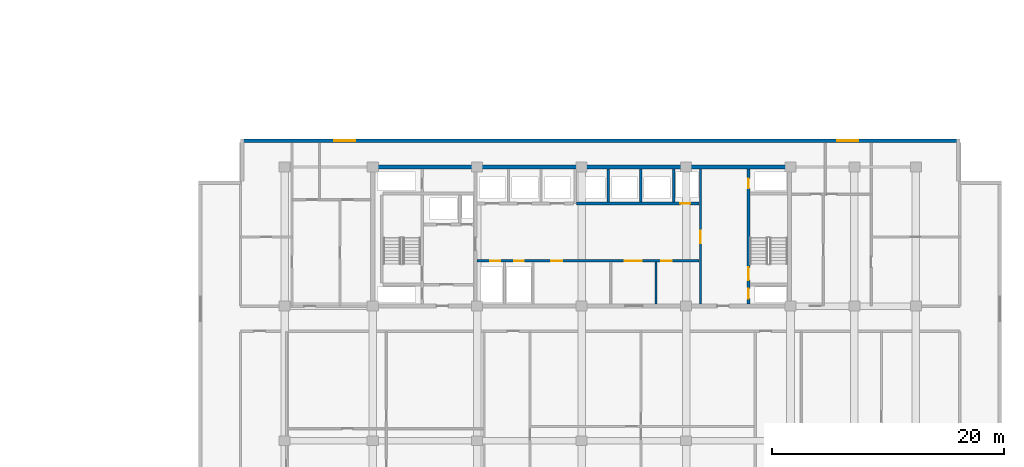
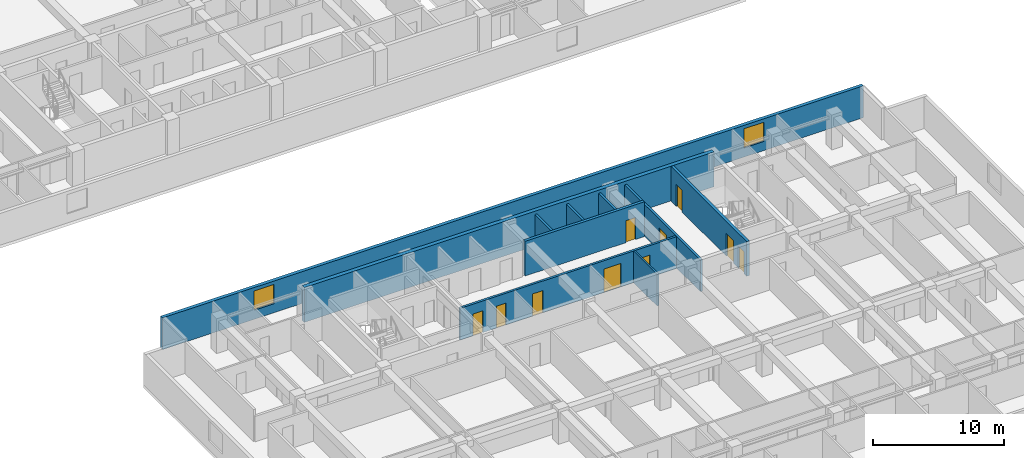
# One storey, part 7 of 23: 10 doors, 10 walls, 2 windows, 12 openings.
"""IFC4 building model written with IfcOpenShell, lengths in metres."""

import ifcopenshell
import ifcopenshell.guid

model = None  # the IFC model being written
_history = None  # IfcOwnerHistory: only IFC2X3 demands one
_inside = {}  # id of a spatial element -> (the spatial element, [elements in it])
_under = {}  # id of a project, library or spatial element -> (it, [spatial elements below it])
_declared = {}  # id of a project -> (the project, [libraries it declares])
_typed = {}  # id of a type object -> (the type object, [elements of that type])
_made_of = {}  # id of a material, layer set ... -> (it, [elements and type objects made of it])


def new_model(schema):
    """Start an empty IFC model of exactly this schema.

    Asked for "IFC4X3", IfcOpenShell would pick the latest addendum, in which some entities
    have other attributes; the version numbers below select the first issue.
    IFC2X3 requires an IfcOwnerHistory on every rooted entity: one is made here for all.
    """
    global model, _history
    if schema == "IFC4X3":
        model = ifcopenshell.file(schema_version=(4, 3, 0, 0))
    else:
        model = ifcopenshell.file(schema=schema)
    _inside.clear()
    _under.clear()
    _declared.clear()
    _typed.clear()
    _made_of.clear()
    _history = None
    if model.schema == "IFC2X3":
        org = make("IfcOrganization", Name="unknown")
        user = make(
            "IfcPersonAndOrganization",
            ThePerson=make("IfcPerson", FamilyName="unknown"),
            TheOrganization=org,
        )
        app = make(
            "IfcApplication",
            ApplicationDeveloper=org,
            Version="unknown",
            ApplicationFullName="unknown",
            ApplicationIdentifier="unknown",
        )
        _history = make(
            "IfcOwnerHistory",
            OwningUser=user,
            OwningApplication=app,
            ChangeAction="ADDED",
            CreationDate=0,
        )
    return model


def make(cls, **values):
    """One entity of the class cls with the attributes given. An attribute that is None is left unset."""
    return model.create_entity(
        cls, **{name: value for name, value in values.items() if value is not None}
    )


def rooted(cls, **values):
    """An entity with a GlobalId (a new one), such as an element, a storey or a relation."""
    return make(cls, GlobalId=ifcopenshell.guid.new(), OwnerHistory=_history, **values)


def si_unit(unit_type, name, prefix=None):
    """IfcSIUnit, for example si_unit("LENGTHUNIT", "METRE", prefix="MILLI")."""
    return make("IfcSIUnit", UnitType=unit_type, Prefix=prefix, Name=name)


def assignment(units):
    """IfcUnitAssignment: the units of a project."""
    return None if units is None else make("IfcUnitAssignment", Units=units)


def point(xyz):
    """IfcCartesianPoint."""
    return None if xyz is None else make("IfcCartesianPoint", Coordinates=xyz)


def direction(xyz):
    """IfcDirection."""
    return None if xyz is None else make("IfcDirection", DirectionRatios=xyz)


def frame(location, z_axis=None, x_axis=None):
    """IfcAxis2Placement3D, a coordinate frame: its origin and axes. An axis left out is left unset."""
    return make(
        "IfcAxis2Placement3D",
        Location=point(location),
        Axis=direction(z_axis),
        RefDirection=direction(x_axis),
    )


def frame_2d(location, x_axis=None):
    """IfcAxis2Placement2D, a coordinate frame in the plane: its origin and x axis."""
    return make(
        "IfcAxis2Placement2D", Location=point(location), RefDirection=direction(x_axis)
    )


def origin():
    """The frame at (0, 0, 0) with its axes left unset."""
    return frame((0.0, 0.0, 0.0))


def place(relative_to, where):
    """IfcLocalPlacement: puts the frame where relative to a parent placement (None: the world)."""
    return make(
        "IfcLocalPlacement", PlacementRelTo=relative_to, RelativePlacement=where
    )


def context(
    kind, dimensions, precision=None, world=None, true_north=None, identifier=None
):
    """IfcGeometricRepresentationContext, for example the 3D "Model" context."""
    return make(
        "IfcGeometricRepresentationContext",
        ContextIdentifier=identifier,
        ContextType=kind,
        CoordinateSpaceDimension=dimensions,
        Precision=precision,
        WorldCoordinateSystem=world,
        TrueNorth=true_north,
    )


def subcontext(parent, identifier, kind, view, scale=None):
    """IfcGeometricRepresentationSubContext, for example "Body" below "Model"."""
    return make(
        "IfcGeometricRepresentationSubContext",
        ContextIdentifier=identifier,
        ContextType=kind,
        ParentContext=parent,
        TargetScale=scale,
        TargetView=view,
    )


def project(units=None, contexts=None):
    """IfcProject with its units and contexts."""
    return rooted(
        "IfcProject",
        Name="project",
        RepresentationContexts=contexts,
        UnitsInContext=assignment(units),
    )


def spatial(cls, under=None, at=None, **own):
    """A site, building, storey or space (cls), placed at a placement, below another one or the project."""
    s = rooted(cls, ObjectPlacement=at, **own)
    if under is not None:
        _under.setdefault(under.id(), (under, []))[1].append(s)
    return s


def profile(cls, at=None, kind="AREA", **sizes):
    """A parametric profile (cls). Its sizes go by their IFC names, for example OverallWidth=200.0."""
    return make(cls, ProfileType=kind, Position=at, **sizes)


def rectangle(**sizes):
    """IfcRectangleProfileDef."""
    return profile("IfcRectangleProfileDef", **sizes)


def extrude(swept, where, along, depth):
    """IfcExtrudedAreaSolid: the profile swept, set in the frame where, extruded along a direction by depth."""
    return make(
        "IfcExtrudedAreaSolid",
        SweptArea=swept,
        Position=where,
        ExtrudedDirection=direction(along),
        Depth=depth,
    )


def shape(context_of_items, identifier, shape_type, items):
    """IfcShapeRepresentation: the items that make up one representation, for example the "Body"."""
    return make(
        "IfcShapeRepresentation",
        ContextOfItems=context_of_items,
        RepresentationIdentifier=identifier,
        RepresentationType=shape_type,
        Items=items,
    )


def material(Name=None, Category=None):
    """IfcMaterial."""
    return make("IfcMaterial", Name=Name, Category=Category)


def layer(
    of_material, thickness, ventilated=None, Name=None, Category=None, Priority=None
):
    """IfcMaterialLayer: one layer of a wall or slab, of a material (None: an air gap)."""
    return make(
        "IfcMaterialLayer",
        Material=of_material,
        LayerThickness=thickness,
        IsVentilated=ventilated,
        Name=Name,
        Category=Category,
        Priority=Priority,
    )


def layer_set(layers, Name=None):
    """IfcMaterialLayerSet."""
    return make("IfcMaterialLayerSet", MaterialLayers=layers, LayerSetName=Name)


def made_of(thing, what):
    """Note that an element or type object is made of a material, layer set ...; save() writes the relation."""
    if what is not None:
        _made_of.setdefault(what.id(), (what, []))[1].append(thing)
    return thing


def type_object(cls, material=None, **own):
    """A type object (cls), such as IfcWallType, which elements share."""
    return made_of(rooted(cls, **own), material)


def element(
    cls,
    number,
    at=None,
    inside=None,
    cuts=None,
    type_object=None,
    material=None,
    context=None,
    identifier="Body",
    shape_type=None,
    held_by="IfcProductDefinitionShape",
    body=None,
    shapes=None,
    **own,
):
    """One element of the class cls, such as IfcWall. Its Tag is "e" and its number.

    at: its placement. inside: the storey or other place that contains it. cuts: it is an
    opening in that element (IfcRelVoidsElement). A single representation is given by context,
    identifier, shape_type and body (its items); several are given by shapes. held_by: the class
    of the entity that holds the representations. save() writes the other relations.
    """
    e = rooted(cls, Tag="e%d" % number, ObjectPlacement=at, **own)
    if body is not None:
        shapes = [shape(context, identifier, shape_type, body)]
    if shapes is not None:
        e.Representation = make(held_by, Representations=shapes)
    if inside is not None:
        _inside.setdefault(inside.id(), (inside, []))[1].append(e)
    if cuts is not None:
        rooted(
            "IfcRelVoidsElement", RelatingBuildingElement=cuts, RelatedOpeningElement=e
        )
    if type_object is not None:
        _typed.setdefault(type_object.id(), (type_object, []))[1].append(e)
    return made_of(e, material)


def fill(opening, filler):
    """IfcRelFillsElement: the door or window that sits in an opening."""
    return rooted(
        "IfcRelFillsElement",
        RelatingOpeningElement=opening,
        RelatedBuildingElement=filler,
    )


def aggregate(whole, parts):
    """IfcRelAggregates: a whole, such as a stair, and the parts it consists of."""
    return rooted("IfcRelAggregates", RelatingObject=whole, RelatedObjects=parts)


def save(model, path):
    """Write the relations noted so far, then the file.

    IfcRelAggregates (storeys below a building ...), IfcRelContainedInSpatialStructure (elements
    in a storey), IfcRelDefinesByType, IfcRelAssociatesMaterial and IfcRelDeclares: one each for
    every whole, place, type object, material and project.
    """
    for whole, parts in _under.values():
        aggregate(whole, parts)
    for where, things in _inside.values():
        rooted(
            "IfcRelContainedInSpatialStructure",
            RelatedElements=things,
            RelatingStructure=where,
        )
    for kind, things in _typed.values():
        rooted("IfcRelDefinesByType", RelatedObjects=things, RelatingType=kind)
    for what, things in _made_of.values():
        rooted("IfcRelAssociatesMaterial", RelatedObjects=things, RelatingMaterial=what)
    for by, libraries in _declared.values():
        rooted("IfcRelDeclares", RelatingContext=by, RelatedDefinitions=libraries)
    model.write(path)


model = new_model("IFC4")

# Units and contexts
model_context = context("Model", 3, precision=1e-05, world=origin(), true_north=direction((0.0, 1.0)))
body_context = subcontext(model_context, "Body", "Model", "MODEL_VIEW")
ifc_project = project(units=[si_unit("LENGTHUNIT", "METRE"), si_unit("AREAUNIT", "SQUARE_METRE"), si_unit("VOLUMEUNIT", "CUBIC_METRE"), si_unit("PLANEANGLEUNIT", "RADIAN"), si_unit("MASSUNIT", "GRAM", prefix="KILO")], contexts=[model_context])

# Site, building, storey
site_placement = place(None, origin())
site = spatial("IfcSite", under=ifc_project, at=site_placement, CompositionType="ELEMENT")
building_placement = place(site_placement, origin())
building = spatial("IfcBuilding", under=site, at=building_placement, Name="Korimba Cascade Residences", CompositionType="ELEMENT")
storey_placement = place(building_placement, frame((0.0, 0.0, 53.25)))
storey = spatial("IfcBuildingStorey", under=building, at=storey_placement, Name="L14", CompositionType="ELEMENT", Elevation=53.25)

# Wall, openings, windows
ifc_material_1 = material(Name="Precast concrete C40/50", Category="concrete")
ifc_layer_1 = layer(ifc_material_1, 0.300048828125)
ifc_layer_set_1 = layer_set([ifc_layer_1], Name="Precast concrete C40/50")
wall_type_1 = type_object("IfcWallType", Name="EW-STONE-300", PredefinedType="STANDARD", material=ifc_layer_set_1)
wall_1_placement = place(storey_placement, frame((132.699951171875, 32.64990234375, 0.0), z_axis=(0.0, 0.0, 1.0), x_axis=(-1.0, 0.0, 0.0)))
wall_1 = element("IfcWall", 1, at=wall_1_placement, inside=storey, type_object=wall_type_1, Name="L14 T2 Perimeter Stone Wall E06", PredefinedType="STANDARD", context=body_context, shape_type="SweptSolid", body=[
    extrude(rectangle(XDim=62.0, YDim=0.300048828125, at=frame_2d((31.0, 0.0))), origin(), (0.0, 0.0, 1.0), 2.969970703125),
])
opening_1_placement = place(wall_1_placement, frame((52.125, 0.0, 0.85009765625)))
opening_1 = element("IfcOpeningElement", 2, at=opening_1_placement, cuts=wall_1, Name="Opening W-02", PredefinedType="OPENING", context=body_context, shape_type="SweptSolid", body=[
    extrude(rectangle(XDim=1.800048828125, YDim=1.800048828125, at=frame_2d((0.89990234375, 0.89990234375))), frame((0.0, 0.16015625, 0.0), z_axis=(0.0, -1.0, 0.0), x_axis=(1.0, 0.0, 0.0)), (0.0, 0.0, 1.0), 0.320068359375),
])
opening_2_placement = place(wall_1_placement, frame((8.77490234375, 0.0, 0.85009765625)))
opening_2 = element("IfcOpeningElement", 3, at=opening_2_placement, cuts=wall_1, Name="Opening W-02", PredefinedType="OPENING", context=body_context, shape_type="SweptSolid", body=[
    extrude(rectangle(XDim=1.800048828125, YDim=1.800048828125, at=frame_2d((0.89990234375, 0.89990234375))), frame((0.0, 0.16015625, 0.0), z_axis=(0.0, -1.0, 0.0), x_axis=(1.0, 0.0, 0.0)), (0.0, 0.0, 1.0), 0.320068359375),
])
ifc_material_2 = material(Name="Double-Glazed Aluminium Window", Category="aluminium")
window_type = type_object("IfcWindowType", Name="WIN-BED-1800", PartitioningType="SINGLE_PANEL", PredefinedType="WINDOW", material=ifc_material_2)
window_1_placement = place(opening_1_placement, origin())
window_1 = element("IfcWindow", 4, at=window_1_placement, inside=storey, type_object=window_type, Name="L14 T2 North Corner Bedroom Window 1", OverallHeight=1.800048828125, OverallWidth=1.800048828125, PartitioningType="SINGLE_PANEL", PredefinedType="WINDOW", context=body_context, shape_type="SweptSolid", body=[
    extrude(rectangle(XDim=1.800048828125, YDim=1.800048828125, at=frame_2d((0.89990234375, 0.89990234375))), frame((0.0, 0.030029296875, 0.0), z_axis=(0.0, -1.0, 0.0), x_axis=(1.0, 0.0, 0.0)), (0.0, 0.0, 1.0), 0.06005859375),
])
fill(opening_1, window_1)
window_2_placement = place(opening_2_placement, origin())
window_2 = element("IfcWindow", 5, at=window_2_placement, inside=storey, type_object=window_type, Name="L14 T2 North Corner Bedroom Window 2", OverallHeight=1.800048828125, OverallWidth=1.800048828125, PartitioningType="SINGLE_PANEL", PredefinedType="WINDOW", context=body_context, shape_type="SweptSolid", body=[
    extrude(rectangle(XDim=1.800048828125, YDim=1.800048828125, at=frame_2d((0.89990234375, 0.89990234375))), frame((0.0, 0.030029296875, 0.0), z_axis=(0.0, -1.0, 0.0), x_axis=(1.0, 0.0, 0.0)), (0.0, 0.0, 1.0), 0.06005859375),
])
fill(opening_2, window_2)

# Walls
ifc_material_3 = material(Name="Concrete C65/80", Category="concrete")
ifc_layer_2 = layer(ifc_material_3, 0.35009765625)
ifc_layer_set_2 = layer_set([ifc_layer_2], Name="Concrete C65/80")
wall_type_2 = type_object("IfcWallType", Name="WAL-CORE-350", PredefinedType="SHEAR", material=ifc_layer_set_2)
wall_2_placement = place(storey_placement, frame((81.925048828125, 30.39990234375, 0.0), z_axis=(0.0, 0.0, 1.0), x_axis=(1.0, 0.0, 0.0)))
element("IfcWall", 6, at=wall_2_placement, inside=storey, type_object=wall_type_2, Name="L14 Core Shear Wall CW-L14-T2-N", PredefinedType="SHEAR", context=body_context, shape_type="SweptSolid", body=[
    extrude(rectangle(XDim=36.264892578125, YDim=0.35009765625, at=frame_2d((18.13232421875, 0.0))), origin(), (0.0, 0.0, 1.0), 3.25),
])
ifc_material_4 = material(Name="Insulated Acoustic Stud Partition", Category="gypsum")
ifc_layer_3 = layer(ifc_material_4, 0.14990234375)
ifc_layer_set_3 = layer_set([ifc_layer_3], Name="Insulated Acoustic Stud Partition")
wall_type_3 = type_object("IfcWallType", Name="WAL-PART-150", PredefinedType="PARTITIONING", material=ifc_layer_set_3)
wall_3_placement = place(storey_placement, frame((106.5, 18.60009765625, 0.0), z_axis=(0.0, 0.0, 1.0), x_axis=(0.0, 1.0, 0.0)))
element("IfcWall", 7, at=wall_3_placement, inside=storey, type_object=wall_type_3, Name="L14 Partition Wall CW-L14-T2-THE", PredefinedType="PARTITIONING", context=body_context, shape_type="SweptSolid", body=[
    extrude(rectangle(XDim=3.599853515625, YDim=0.14990234375, at=frame_2d((1.7998046875, 0.0))), origin(), (0.0, 0.0, 1.0), 2.969970703125),
])
ifc_material_5 = material(Name="Concrete C40/50", Category="concrete")
ifc_layer_4 = layer(ifc_material_5, 0.199951171875)
ifc_layer_set_4 = layer_set([ifc_layer_4], Name="Concrete C40/50")
wall_type_4 = type_object("IfcWallType", Name="WAL-PART-200", PredefinedType="PARTITIONING", material=ifc_layer_set_4)
for number, where, z_axis, x_axis, name in (
    (8, (102.39990234375, 27.3798828125, 0.0), (0.0, 0.0, 1.0), (0.0, 1.0, 0.0), "L14 Partition Wall CW-L14-T2-B2D1"),
    (9, (105.199951171875, 27.3798828125, 0.0), (0.0, 0.0, 1.0), (0.0, 1.0, 0.0), "L14 Partition Wall CW-L14-T2-B2D2"),
    (10, (108.050048828125, 27.3798828125, 0.0), (0.0, 0.0, 1.0), (0.0, 1.0, 0.0), "L14 Partition Wall CW-L14-T2-B2D3"),
):
    element("IfcWall", number, at=place(storey_placement, frame(where, z_axis=z_axis, x_axis=x_axis)), inside=storey, type_object=wall_type_4, Name=name, PredefinedType="PARTITIONING", context=body_context, shape_type="SweptSolid", body=[
        extrude(rectangle(XDim=2.820068359375, YDim=0.199951171875, at=frame_2d((1.41015625, 0.0))), origin(), (0.0, 0.0, 1.0), 2.969970703125),
    ])

# Wall, openings, doors
wall_4_placement = place(storey_placement, frame((91.080078125, 22.300048828125, 0.0), z_axis=(0.0, 0.0, 1.0), x_axis=(1.0, 0.0, 0.0)))
wall_4 = element("IfcWall", 11, at=wall_4_placement, inside=storey, type_object=wall_type_4, Name="L14 Partition Wall CW-L14-T2-SRVROW", PredefinedType="PARTITIONING", context=body_context, shape_type="SweptSolid", body=[
    extrude(rectangle(XDim=19.139892578125, YDim=0.199951171875, at=frame_2d((9.56982421875, 0.0))), origin(), (0.0, 0.0, 1.0), 2.969970703125),
])
opening_3_placement = place(wall_4_placement, frame((1.14990234375, 0.0, 0.0)))
opening_3 = element("IfcOpeningElement", 12, at=opening_3_placement, cuts=wall_4, Name="Opening D-RS1", PredefinedType="OPENING", context=body_context, shape_type="SweptSolid", body=[
    extrude(rectangle(XDim=0.85009765625, YDim=2.050048828125, at=frame_2d((0.425048828125, 1.02490234375))), frame((0.0, 0.10986328125, 0.0), z_axis=(0.0, -1.0, 0.0), x_axis=(1.0, 0.0, 0.0)), (0.0, 0.0, 1.0), 0.219970703125),
])
opening_4_placement = place(wall_4_placement, frame((3.199951171875, 0.0, 0.0)))
opening_4 = element("IfcOpeningElement", 13, at=opening_4_placement, cuts=wall_4, Name="Opening D-RS1", PredefinedType="OPENING", context=body_context, shape_type="SweptSolid", body=[
    extrude(rectangle(XDim=0.85009765625, YDim=2.050048828125, at=frame_2d((0.425048828125, 1.02490234375))), frame((0.0, 0.10986328125, 0.0), z_axis=(0.0, -1.0, 0.0), x_axis=(1.0, 0.0, 0.0)), (0.0, 0.0, 1.0), 0.219970703125),
])
opening_5_placement = place(wall_4_placement, frame((12.719970703125, 0.0, 0.0)))
opening_5 = element("IfcOpeningElement", 14, at=opening_5_placement, cuts=wall_4, Name="Opening D-FD8", PredefinedType="OPENING", context=body_context, shape_type="SweptSolid", body=[
    extrude(rectangle(XDim=1.5, YDim=2.199951171875, at=frame_2d((0.75, 1.10009765625))), frame((0.0, 0.10986328125, 0.0), z_axis=(0.0, -1.0, 0.0), x_axis=(1.0, 0.0, 0.0)), (0.0, 0.0, 1.0), 0.219970703125),
])
opening_6_placement = place(wall_4_placement, frame((6.419921875, 0.0, 0.0)))
opening_6 = element("IfcOpeningElement", 15, at=opening_6_placement, cuts=wall_4, Name="Opening D-IN1", PredefinedType="OPENING", context=body_context, shape_type="SweptSolid", body=[
    extrude(rectangle(XDim=0.919921875, YDim=2.080078125, at=frame_2d((0.4599609375, 1.0400390625))), frame((0.0, 0.10986328125, 0.0), z_axis=(0.0, -1.0, 0.0), x_axis=(1.0, 0.0, 0.0)), (0.0, 0.0, 1.0), 0.219970703125),
])
opening_7_placement = place(wall_4_placement, frame((15.8701171875, 0.0, 0.0)))
opening_7 = element("IfcOpeningElement", 16, at=opening_7_placement, cuts=wall_4, Name="Opening D-IN1", PredefinedType="OPENING", context=body_context, shape_type="SweptSolid", body=[
    extrude(rectangle(XDim=0.919921875, YDim=2.080078125, at=frame_2d((0.4599609375, 1.0400390625))), frame((0.0, 0.10986328125, 0.0), z_axis=(0.0, -1.0, 0.0), x_axis=(1.0, 0.0, 0.0)), (0.0, 0.0, 1.0), 0.219970703125),
])
ifc_material_6 = material(Name="Fire-Rated Steel Riser Access Door", Category="steel")
door_type_1 = type_object("IfcDoorType", Name="DR-FD60-850", OperationType="NOTDEFINED", PredefinedType="DOOR", material=ifc_material_6)
door_1_placement = place(opening_3_placement, origin())
door_1 = element("IfcDoor", 17, at=door_1_placement, inside=storey, type_object=door_type_1, Name="L14 T2 Electrical Riser Door", OperationType="SINGLE_SWING_LEFT", OverallHeight=2.050048828125, OverallWidth=0.85009765625, PredefinedType="DOOR", context=body_context, shape_type="SweptSolid", body=[
    extrude(rectangle(XDim=0.85009765625, YDim=2.050048828125, at=frame_2d((0.425048828125, 1.02490234375))), frame((0.0, 0.02490234375, 0.0), z_axis=(0.0, -1.0, 0.0), x_axis=(1.0, 0.0, 0.0)), (0.0, 0.0, 1.0), 0.050048828125),
])
fill(opening_3, door_1)
door_2_placement = place(opening_4_placement, origin())
door_2 = element("IfcDoor", 18, at=door_2_placement, inside=storey, type_object=door_type_1, Name="L14 T2 Plumbing Riser Door", OperationType="SINGLE_SWING_RIGHT", OverallHeight=2.050048828125, OverallWidth=0.85009765625, PredefinedType="DOOR", context=body_context, shape_type="SweptSolid", body=[
    extrude(rectangle(XDim=0.85009765625, YDim=2.050048828125, at=frame_2d((0.425048828125, 1.02490234375))), frame((0.0, 0.02490234375, 0.0), z_axis=(0.0, -1.0, 0.0), x_axis=(1.0, 0.0, 0.0)), (0.0, 0.0, 1.0), 0.050048828125),
])
fill(opening_4, door_2)
ifc_material_7 = material(Name="Fire-Rated Glazed Lift Lobby Double Door", Category="glass")
door_type_2 = type_object("IfcDoorType", Name="DR-FD90-1500", OperationType="NOTDEFINED", PredefinedType="DOOR", material=ifc_material_7)
door_3_placement = place(opening_5_placement, origin())
door_3 = element("IfcDoor", 19, at=door_3_placement, inside=storey, type_object=door_type_2, Name="L14 T2 Lift Lobby Foyer Door", OperationType="DOUBLE_DOOR_SINGLE_SWING", OverallHeight=2.199951171875, OverallWidth=1.5, PredefinedType="DOOR", context=body_context, shape_type="SweptSolid", body=[
    extrude(rectangle(XDim=1.5, YDim=2.199951171875, at=frame_2d((0.75, 1.10009765625))), frame((0.0, 0.02490234375, 0.0), z_axis=(0.0, -1.0, 0.0), x_axis=(1.0, 0.0, 0.0)), (0.0, 0.0, 1.0), 0.050048828125),
])
fill(opening_5, door_3)
ifc_material_8 = material(Name="Acoustic Timber Living Door", Category="wood")
door_type_3 = type_object("IfcDoorType", Name="DR-INT-920", OperationType="NOTDEFINED", PredefinedType="DOOR", material=ifc_material_8)
door_4_placement = place(opening_6_placement, origin())
door_4 = element("IfcDoor", 20, at=door_4_placement, inside=storey, type_object=door_type_3, Name="L14 T2 Housekeeping Door", OperationType="SINGLE_SWING_LEFT", OverallHeight=2.080078125, OverallWidth=0.919921875, PredefinedType="DOOR", context=body_context, shape_type="SweptSolid", body=[
    extrude(rectangle(XDim=0.919921875, YDim=2.080078125, at=frame_2d((0.4599609375, 1.0400390625))), frame((0.0, 0.02490234375, 0.0), z_axis=(0.0, -1.0, 0.0), x_axis=(1.0, 0.0, 0.0)), (0.0, 0.0, 1.0), 0.050048828125),
])
fill(opening_6, door_4)
door_5_placement = place(opening_7_placement, origin())
door_5 = element("IfcDoor", 21, at=door_5_placement, inside=storey, type_object=door_type_3, Name="L14 T2 Store Door", OperationType="SINGLE_SWING_RIGHT", OverallHeight=2.080078125, OverallWidth=0.919921875, PredefinedType="DOOR", context=body_context, shape_type="SweptSolid", body=[
    extrude(rectangle(XDim=0.919921875, YDim=2.080078125, at=frame_2d((0.4599609375, 1.0400390625))), frame((0.0, 0.02490234375, 0.0), z_axis=(0.0, -1.0, 0.0), x_axis=(1.0, 0.0, 0.0)), (0.0, 0.0, 1.0), 0.050048828125),
])
fill(opening_7, door_5)

# Wall, opening, door
wall_5_placement = place(storey_placement, frame((110.35009765625, 18.60009765625, 0.0), z_axis=(0.0, 0.0, 1.0), x_axis=(0.0, 1.0, 0.0)))
wall_5 = element("IfcWall", 22, at=wall_5_placement, inside=storey, type_object=wall_type_4, Name="L14 Partition Wall CW-L14-T2-LLEV", PredefinedType="PARTITIONING", context=body_context, shape_type="SweptSolid", body=[
    extrude(rectangle(XDim=11.599853515625, YDim=0.199951171875, at=frame_2d((5.7998046875, 0.0))), origin(), (0.0, 0.0, 1.0), 2.969970703125),
])
opening_8_placement = place(wall_5_placement, frame((5.199951171875, 0.0, 0.0)))
opening_8 = element("IfcOpeningElement", 23, at=opening_8_placement, cuts=wall_5, Name="Opening D-FD6", PredefinedType="OPENING", context=body_context, shape_type="SweptSolid", body=[
    extrude(rectangle(XDim=1.10009765625, YDim=2.14990234375, at=frame_2d((0.550048828125, 1.074951171875))), frame((0.0, 0.10986328125, 0.0), z_axis=(0.0, -1.0, 0.0), x_axis=(1.0, 0.0, 0.0)), (0.0, 0.0, 1.0), 0.219970703125),
])
ifc_material_9 = material(Name="Fire-Rated Timber Stair Lobby Door", Category="wood")
door_type_4 = type_object("IfcDoorType", Name="DR-FD90-1100", OperationType="NOTDEFINED", PredefinedType="DOOR", material=ifc_material_9)
door_6_placement = place(opening_8_placement, origin())
door_6 = element("IfcDoor", 24, at=door_6_placement, inside=storey, type_object=door_type_4, Name="L14 T2 Lift Lobby to East Stair Lobby Door", OperationType="SINGLE_SWING_LEFT", OverallHeight=2.14990234375, OverallWidth=1.10009765625, PredefinedType="DOOR", context=body_context, shape_type="SweptSolid", body=[
    extrude(rectangle(XDim=1.10009765625, YDim=2.14990234375, at=frame_2d((0.550048828125, 1.074951171875))), frame((0.0, 0.02490234375, 0.0), z_axis=(0.0, -1.0, 0.0), x_axis=(1.0, 0.0, 0.0)), (0.0, 0.0, 1.0), 0.050048828125),
])
fill(opening_8, door_6)

ifc_material_10 = material(Name="Concrete C50/60", Category="concrete")
ifc_layer_5 = layer(ifc_material_10, 0.25)
ifc_layer_set_5 = layer_set([ifc_layer_5], Name="Concrete C50/60")
wall_type_5 = type_object("IfcWallType", Name="WAL-SHAFT-250", PredefinedType="SHEAR", material=ifc_layer_set_5)
wall_6_placement = place(storey_placement, frame((99.679931640625, 27.25, 0.0), z_axis=(0.0, 0.0, 1.0), x_axis=(1.0, 0.0, 0.0)))
wall_6 = element("IfcWall", 25, at=wall_6_placement, inside=storey, type_object=wall_type_5, Name="L14 Core Shear Wall CW-L14-T2-B2S", PredefinedType="SHEAR", context=body_context, shape_type="SweptSolid", body=[
    extrude(rectangle(XDim=10.5400390625, YDim=0.25, at=frame_2d((5.27001953125, 0.0))), origin(), (0.0, 0.0, 1.0), 3.25),
])
opening_9_placement = place(wall_6_placement, frame((8.919921875, 0.0, 0.0)))
opening_9 = element("IfcOpeningElement", 26, at=opening_9_placement, cuts=wall_6, Name="Opening D-RS1", PredefinedType="OPENING", context=body_context, shape_type="SweptSolid", body=[
    extrude(rectangle(XDim=0.85009765625, YDim=2.050048828125, at=frame_2d((0.425048828125, 1.02490234375))), frame((0.0, 0.135009765625, 0.0), z_axis=(0.0, -1.0, 0.0), x_axis=(1.0, 0.0, 0.0)), (0.0, 0.0, 1.0), 0.27001953125),
])
door_7_placement = place(opening_9_placement, origin())
door_7 = element("IfcDoor", 27, at=door_7_placement, inside=storey, type_object=door_type_1, Name="L14 T2 Duct Door", OperationType="SINGLE_SWING_RIGHT", OverallHeight=2.050048828125, OverallWidth=0.85009765625, PredefinedType="DOOR", context=body_context, shape_type="SweptSolid", body=[
    extrude(rectangle(XDim=0.85009765625, YDim=2.050048828125, at=frame_2d((0.425048828125, 1.02490234375))), frame((0.0, 0.02490234375, 0.0), z_axis=(0.0, -1.0, 0.0), x_axis=(1.0, 0.0, 0.0)), (0.0, 0.0, 1.0), 0.050048828125),
])
fill(opening_9, door_7)

# Wall, openings, doors
wall_7_placement = place(storey_placement, frame((114.47509765625, 18.60009765625, 0.0), z_axis=(0.0, 0.0, 1.0), x_axis=(0.0, 1.0, 0.0)))
wall_7 = element("IfcWall", 28, at=wall_7_placement, inside=storey, type_object=wall_type_5, Name="L14 Core Shear Wall CW-L14-T2-STE2W", PredefinedType="SHEAR", context=body_context, shape_type="SweptSolid", body=[
    extrude(rectangle(XDim=11.599853515625, YDim=0.25, at=frame_2d((5.7998046875, 0.0))), origin(), (0.0, 0.0, 1.0), 3.25),
])
opening_10_placement = place(wall_7_placement, frame((0.449951171875, 0.0, 0.0)))
opening_10 = element("IfcOpeningElement", 29, at=opening_10_placement, cuts=wall_7, Name="Opening D-RS1", PredefinedType="OPENING", context=body_context, shape_type="SweptSolid", body=[
    extrude(rectangle(XDim=0.85009765625, YDim=2.050048828125, at=frame_2d((0.425048828125, 1.02490234375))), frame((0.0, 0.135009765625, 0.0), z_axis=(0.0, -1.0, 0.0), x_axis=(1.0, 0.0, 0.0)), (0.0, 0.0, 1.0), 0.27001953125),
])
opening_11_placement = place(wall_7_placement, frame((2.050048828125, 0.0, 0.0)))
opening_11 = element("IfcOpeningElement", 30, at=opening_11_placement, cuts=wall_7, Name="Opening D-FD1", PredefinedType="OPENING", context=body_context, shape_type="SweptSolid", body=[
    extrude(rectangle(XDim=1.10009765625, YDim=2.10009765625, at=frame_2d((0.550048828125, 1.050048828125))), frame((0.0, 0.135009765625, 0.0), z_axis=(0.0, -1.0, 0.0), x_axis=(1.0, 0.0, 0.0)), (0.0, 0.0, 1.0), 0.27001953125),
])
opening_12_placement = place(wall_7_placement, frame((9.949951171875, 0.0, 0.0)))
opening_12 = element("IfcOpeningElement", 31, at=opening_12_placement, cuts=wall_7, Name="Opening D-RS1", PredefinedType="OPENING", context=body_context, shape_type="SweptSolid", body=[
    extrude(rectangle(XDim=0.85009765625, YDim=2.050048828125, at=frame_2d((0.425048828125, 1.02490234375))), frame((0.0, 0.135009765625, 0.0), z_axis=(0.0, -1.0, 0.0), x_axis=(1.0, 0.0, 0.0)), (0.0, 0.0, 1.0), 0.27001953125),
])
ifc_material_11 = material(Name="Fire-Rated Steel Core Door", Category="steel")
door_type_5 = type_object("IfcDoorType", Name="DR-FD120-1100", OperationType="NOTDEFINED", PredefinedType="DOOR", material=ifc_material_11)
door_8_placement = place(opening_11_placement, origin())
door_8 = element("IfcDoor", 32, at=door_8_placement, inside=storey, type_object=door_type_5, Name="L14 Fire Stair ST-E2 Door", OperationType="SINGLE_SWING_LEFT", OverallHeight=2.10009765625, OverallWidth=1.10009765625, PredefinedType="DOOR", context=body_context, shape_type="SweptSolid", body=[
    extrude(rectangle(XDim=1.10009765625, YDim=2.10009765625, at=frame_2d((0.550048828125, 1.050048828125))), frame((0.0, 0.02490234375, 0.0), z_axis=(0.0, -1.0, 0.0), x_axis=(1.0, 0.0, 0.0)), (0.0, 0.0, 1.0), 0.050048828125),
])
fill(opening_11, door_8)
door_9_placement = place(opening_10_placement, origin())
door_9 = element("IfcDoor", 33, at=door_9_placement, inside=storey, type_object=door_type_1, Name="L14 T2 East Hydrant Door", OperationType="SINGLE_SWING_RIGHT", OverallHeight=2.050048828125, OverallWidth=0.85009765625, PredefinedType="DOOR", context=body_context, shape_type="SweptSolid", body=[
    extrude(rectangle(XDim=0.85009765625, YDim=2.050048828125, at=frame_2d((0.425048828125, 1.02490234375))), frame((0.0, 0.02490234375, 0.0), z_axis=(0.0, -1.0, 0.0), x_axis=(1.0, 0.0, 0.0)), (0.0, 0.0, 1.0), 0.050048828125),
])
fill(opening_10, door_9)
door_10_placement = place(opening_12_placement, origin())
door_10 = element("IfcDoor", 34, at=door_10_placement, inside=storey, type_object=door_type_1, Name="L14 T2 East Riser Door", OperationType="SINGLE_SWING_RIGHT", OverallHeight=2.050048828125, OverallWidth=0.85009765625, PredefinedType="DOOR", context=body_context, shape_type="SweptSolid", body=[
    extrude(rectangle(XDim=0.85009765625, YDim=2.050048828125, at=frame_2d((0.425048828125, 1.02490234375))), frame((0.0, 0.02490234375, 0.0), z_axis=(0.0, -1.0, 0.0), x_axis=(1.0, 0.0, 0.0)), (0.0, 0.0, 1.0), 0.050048828125),
])
fill(opening_12, door_10)

save(model, "model.ifc")
